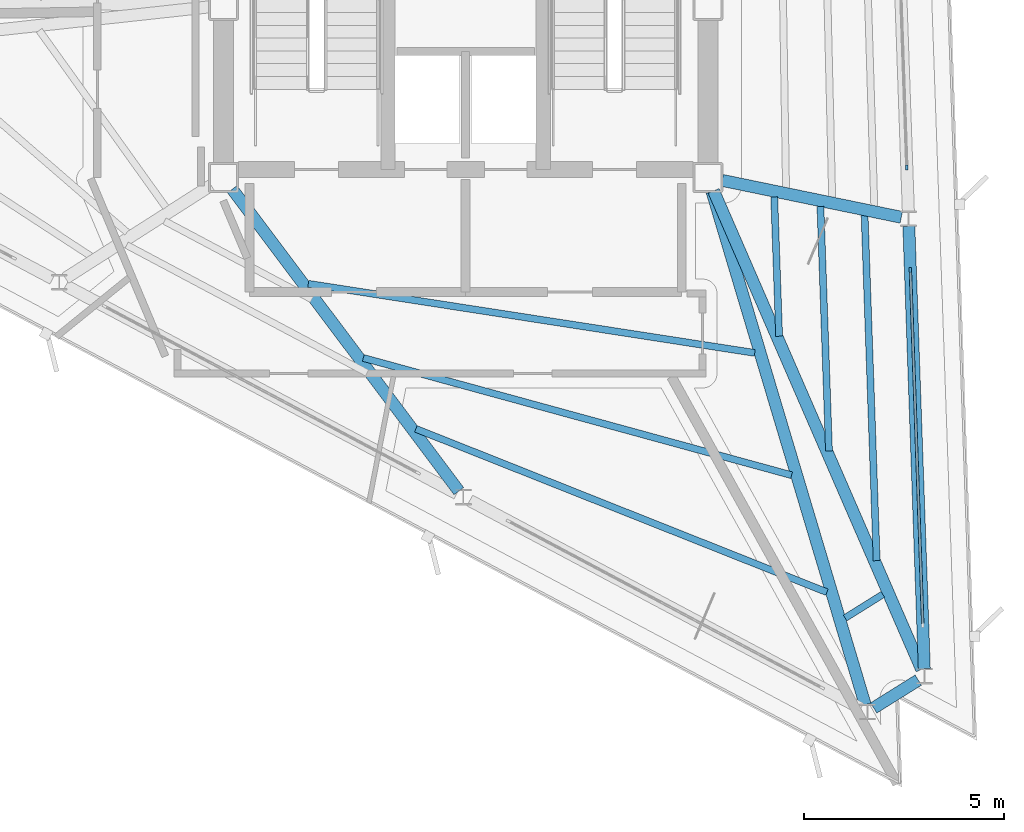
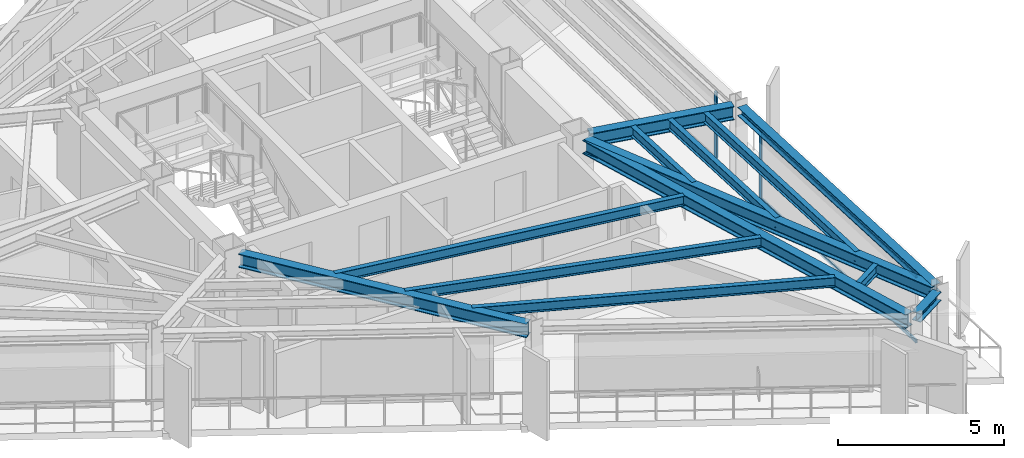
# One storey, part 3 of 13: 13 beams, 4 members, 2 elements without a shape of their own.
"""IFC4 building model written with IfcOpenShell, lengths in metres."""

from ifc_helpers import new_model, si_unit, direction, frame, origin, origin_2d, place, context, subcontext, project, spatial, rectangle, i_section, extrude, material, layer, layer_set, material_profile, profile_set, type_object, element, aggregate, save


model = new_model("IFC4")

# Units and contexts
model_context = context("Model", 3, precision=1e-05, world=origin(), true_north=direction((0.0, 1.0)))
body_context = subcontext(model_context, "Body", "Model", "MODEL_VIEW")
ifc_project = project(units=[si_unit("LENGTHUNIT", "METRE"), si_unit("AREAUNIT", "SQUARE_METRE"), si_unit("VOLUMEUNIT", "CUBIC_METRE"), si_unit("PLANEANGLEUNIT", "RADIAN"), si_unit("MASSUNIT", "GRAM", prefix="KILO")], contexts=[model_context])

# Site, building, storey
site_placement = place(None, origin())
site = spatial("IfcSite", under=ifc_project, at=site_placement, CompositionType="ELEMENT")
building_placement = place(site_placement, origin())
building = spatial("IfcBuilding", under=site, at=building_placement, Name="Rocaltana Carrier Exchange", CompositionType="ELEMENT")
storey_placement = place(building_placement, frame((0.0, 0.0, 199.679931640625)))
storey = spatial("IfcBuildingStorey", under=building, at=storey_placement, Name="L63", CompositionType="ELEMENT", Elevation=199.679931640625)

# Curtain wall, member
ifc_material_1 = material(Name="Aluminium 6063-T6", Category="aluminium")
ifc_layer = layer(ifc_material_1, 0.1201171875)
ifc_layer_set = layer_set([ifc_layer], Name="Aluminium 6063-T6")
curtain_wall_type = type_object("IfcCurtainWallType", Name="High-Altitude Thermal Curtain Wall CW-05", PredefinedType="NOTDEFINED", material=ifc_layer_set)
curtain_wall_1_placement = place(storey_placement, origin())
curtain_wall_1 = element("IfcCurtainWall", 1, at=curtain_wall_1_placement, inside=storey, type_object=curtain_wall_type, Name="L63 CW-05 Run CW-L63-F1S1", PredefinedType="NOTDEFINED")
ifc_material_2 = material(Name="Aluminium 6063-T6", Category="aluminium")
ifc_material_profile_1 = material_profile(ifc_material_2, rectangle(XDim=0.06005859375, YDim=0.1201171875, at=origin_2d()), Name="AL-60X120")
ifc_profile_set_1 = profile_set([ifc_material_profile_1], Name="Aluminium 6063-T6")
member_type_1 = type_object("IfcMemberType", Name="CW-05 Mullion AL-60X120", PredefinedType="MULLION", material=ifc_profile_set_1)
member_1_placement = place(storey_placement, frame((11.11181640625, -6.61279296875, 0.0), z_axis=(0.0, 0.0, 1.0), x_axis=(-0.999390315991, -0.034914127567, 0.0)))
member_1 = element("IfcMember", 2, at=member_1_placement, type_object=member_type_1, Name="CW-05 mullion 2", PredefinedType="MULLION", context=body_context, shape_type="SweptSolid", body=[
    extrude(rectangle(XDim=0.06005859375, YDim=0.1201171875, at=origin_2d()), origin(), (0.0, 0.0, 1.0), 2.447998046875),
])

curtain_wall_2_placement = place(storey_placement, origin())
curtain_wall_2 = element("IfcCurtainWall", 3, at=curtain_wall_2_placement, inside=storey, type_object=curtain_wall_type, Name="L63 CW-05 Run CW-L63-F1S2", PredefinedType="NOTDEFINED")
member_2_placement = place(storey_placement, frame((11.0224609375, -4.054443359375, 0.0), z_axis=(0.0, 0.0, 1.0), x_axis=(-0.999390720156, -0.034902556738, 0.0)))
member_2 = element("IfcMember", 4, at=member_2_placement, type_object=member_type_1, Name="CW-05 mullion 1", PredefinedType="MULLION", context=body_context, shape_type="SweptSolid", body=[
    extrude(rectangle(XDim=0.06005859375, YDim=0.1201171875, at=origin_2d()), origin(), (0.0, 0.0, 1.0), 2.447998046875),
])
aggregate(curtain_wall_2, [member_2])

# Member
ifc_material_3 = material(Name="Aluminium 6063-T6", Category="aluminium")
ifc_material_profile_2 = material_profile(ifc_material_3, rectangle(XDim=0.06005859375, YDim=0.1201171875, at=origin_2d()), Name="AL-60X120")
ifc_profile_set_2 = profile_set([ifc_material_profile_2], Name="Aluminium 6063-T6")
member_type_2 = type_object("IfcMemberType", Name="CW-05 Transom AL-60X120", PredefinedType="USERDEFINED", material=ifc_profile_set_2)
member_3_placement = place(storey_placement, frame((11.420654296875, -15.450927734375, 0.030029296875), z_axis=(-0.034930718371, 0.999389736246, 0.0), x_axis=(-0.999389736246, -0.034930718371, 0.0)))
member_3 = element("IfcMember", 5, at=member_3_placement, type_object=member_type_2, Name="CW-05 transom 1.1", ObjectType="TRANSOM", PredefinedType="USERDEFINED", context=body_context, shape_type="SweptSolid", body=[
    extrude(rectangle(XDim=0.06005859375, YDim=0.1201171875, at=origin_2d()), origin(), (0.0, 0.0, 1.0), 8.8134765625),
])

member_4_placement = place(storey_placement, frame((11.420654296875, -15.450927734375, 2.41796875), z_axis=(-0.034930718371, 0.999389736246, 0.0), x_axis=(-0.999389736246, -0.034930718371, 0.0)))
member_4 = element("IfcMember", 6, at=member_4_placement, type_object=member_type_2, Name="CW-05 transom 1.2", ObjectType="TRANSOM", PredefinedType="USERDEFINED", context=body_context, shape_type="SweptSolid", body=[
    extrude(rectangle(XDim=0.06005859375, YDim=0.1201171875, at=origin_2d()), origin(), (0.0, 0.0, 1.0), 8.8134765625),
])

aggregate(curtain_wall_1, [member_1, member_3, member_4])

# Beams
ifc_material_4 = material(Name="Steel S355", Category="steel")
ifc_material_profile_3 = material_profile(ifc_material_4, i_section(OverallWidth=0.172119140625, OverallDepth=0.35791015625, WebThickness=0.0078125, FlangeThickness=0.01318359375, FilletRadius=0.011962890625, at=origin_2d()), Name="W14X38")
ifc_profile_set_3 = profile_set([ifc_material_profile_3], Name="Steel S355")
beam_type_1 = type_object("IfcBeamType", Name="Floor Joist W14X38", PredefinedType="JOIST", material=ifc_profile_set_3)
beam_1_placement = place(storey_placement, frame((7.83251953125, -8.267822265625, 2.619140625), z_axis=(-0.034956892031, 0.99938882108, 0.0), x_axis=(-0.99938882108, -0.034956892031, 0.0)))
element("IfcBeam", 7, at=beam_1_placement, inside=storey, type_object=beam_type_1, Name="FJ-L63-01-1", PredefinedType="JOIST", context=body_context, shape_type="SweptSolid", body=[
    extrude(i_section(OverallWidth=0.172119140625, OverallDepth=0.35791015625, WebThickness=0.0078125, FlangeThickness=0.01318359375, FilletRadius=0.011962890625, at=origin_2d()), origin(), (0.0, 0.0, 1.0), 3.485107421875),
])
beam_2_placement = place(storey_placement, frame((9.078125, -11.1337890625, 2.619140625), z_axis=(-0.034895437924, 0.999390968747, 0.0), x_axis=(-0.999390968747, -0.034895437924, 0.0)))
element("IfcBeam", 8, at=beam_2_placement, inside=storey, type_object=beam_type_1, Name="FJ-L63-01-2", PredefinedType="JOIST", context=body_context, shape_type="SweptSolid", body=[
    extrude(i_section(OverallWidth=0.172119140625, OverallDepth=0.35791015625, WebThickness=0.0078125, FlangeThickness=0.01318359375, FilletRadius=0.011962890625, at=origin_2d()), origin(), (0.0, 0.0, 1.0), 6.11474609375),
])
beam_3_placement = place(storey_placement, frame((10.269775390625, -13.875, 2.619140625), z_axis=(-0.034909498386, 0.999390477703, 0.0), x_axis=(-0.999390477703, -0.034909498386, 0.0)))
element("IfcBeam", 9, at=beam_3_placement, inside=storey, type_object=beam_type_1, Name="FJ-L63-01-3", PredefinedType="JOIST", context=body_context, shape_type="SweptSolid", body=[
    extrude(i_section(OverallWidth=0.172119140625, OverallDepth=0.35791015625, WebThickness=0.0078125, FlangeThickness=0.01318359375, FilletRadius=0.011962890625, at=origin_2d()), origin(), (0.0, 0.0, 1.0), 8.630126953125),
])
beam_4_placement = place(storey_placement, frame((-3.93017578125, -6.957275390625, 2.619140625), z_axis=(0.98822318651, -0.153019389764, 0.0), x_axis=(0.153019389764, 0.98822318651, 0.0)))
element("IfcBeam", 10, at=beam_4_placement, inside=storey, type_object=beam_type_1, Name="FJ-L63-11-1", PredefinedType="JOIST", context=body_context, shape_type="SweptSolid", body=[
    extrude(i_section(OverallWidth=0.172119140625, OverallDepth=0.35791015625, WebThickness=0.0078125, FlangeThickness=0.01318359375, FilletRadius=0.011962890625, at=origin_2d()), origin(), (0.0, 0.0, 1.0), 11.286376953125),
])
beam_5_placement = place(storey_placement, frame((-2.555419921875, -8.809814453125, 2.619140625), z_axis=(0.96449669157, -0.264094929808, 0.0), x_axis=(0.264094929808, 0.96449669157, 0.0)))
element("IfcBeam", 11, at=beam_5_placement, inside=storey, type_object=beam_type_1, Name="FJ-L63-11-2", PredefinedType="JOIST", context=body_context, shape_type="SweptSolid", body=[
    extrude(i_section(OverallWidth=0.172119140625, OverallDepth=0.35791015625, WebThickness=0.0078125, FlangeThickness=0.01318359375, FilletRadius=0.011962890625, at=origin_2d()), origin(), (0.0, 0.0, 1.0), 11.09326171875),
])
beam_6_placement = place(storey_placement, frame((-1.2421875, -10.581787109375, 2.619140625), z_axis=(0.929319992712, -0.369275440756, 0.0), x_axis=(0.369275440756, 0.929319992712, 0.0)))
element("IfcBeam", 12, at=beam_6_placement, inside=storey, type_object=beam_type_1, Name="FJ-L63-11-3", PredefinedType="JOIST", context=body_context, shape_type="SweptSolid", body=[
    extrude(i_section(OverallWidth=0.172119140625, OverallDepth=0.35791015625, WebThickness=0.0078125, FlangeThickness=0.01318359375, FilletRadius=0.011962890625, at=origin_2d()), origin(), (0.0, 0.0, 1.0), 11.049560546875),
])
beam_7_placement = place(storey_placement, frame((9.481689453125, -15.306640625, 2.619140625), z_axis=(0.847961248571, 0.530058224087, 0.0), x_axis=(-0.530058224087, 0.847961248571, 0.0)))
element("IfcBeam", 13, at=beam_7_placement, inside=storey, type_object=beam_type_1, Name="FJ-L63-12-3", PredefinedType="JOIST", context=body_context, shape_type="SweptSolid", body=[
    extrude(i_section(OverallWidth=0.172119140625, OverallDepth=0.35791015625, WebThickness=0.0078125, FlangeThickness=0.01318359375, FilletRadius=0.011962890625, at=origin_2d()), origin(), (0.0, 0.0, 1.0), 1.110595703125),
])
ifc_material_5 = material(Name="Steel S355", Category="steel")
ifc_material_profile_4 = material_profile(ifc_material_5, i_section(OverallWidth=0.300048828125, OverallDepth=0.320068359375, WebThickness=0.011474609375, FlangeThickness=0.0205078125, FilletRadius=0.027099609375, at=origin_2d()), Name="HEB320")
ifc_profile_set_4 = profile_set([ifc_material_profile_4], Name="Steel S355")
beam_type_2 = type_object("IfcBeamType", Name="Spandrel Edge Beam HEB320", PredefinedType="SPANDREL", material=ifc_profile_set_4)
beam_8_placement = place(storey_placement, frame((11.459716796875, -16.57470703125, 2.63818359375), z_axis=(-0.034891734961, 0.999391098035, 0.0), x_axis=(-0.999391098035, -0.034891734961, 0.0)))
element("IfcBeam", 14, at=beam_8_placement, inside=storey, type_object=beam_type_2, Name="SP-L63-01", PredefinedType="SPANDREL", context=body_context, shape_type="SweptSolid", body=[
    extrude(i_section(OverallWidth=0.300048828125, OverallDepth=0.320068359375, WebThickness=0.011474609375, FlangeThickness=0.0205078125, FilletRadius=0.027099609375, at=origin_2d()), origin(), (0.0, 0.0, 1.0), 11.0625),
])
beam_9_placement = place(storey_placement, frame((10.194580078125, -17.5546875, 2.63818359375), z_axis=(0.848092225117, 0.52984863659, 0.0), x_axis=(-0.52984863659, 0.848092225117, 0.0)))
element("IfcBeam", 15, at=beam_9_placement, inside=storey, type_object=beam_type_2, Name="SP-L63-12", PredefinedType="SPANDREL", context=body_context, shape_type="SweptSolid", body=[
    extrude(i_section(OverallWidth=0.300048828125, OverallDepth=0.320068359375, WebThickness=0.011474609375, FlangeThickness=0.0205078125, FilletRadius=0.027099609375, at=origin_2d()), origin(), (0.0, 0.0, 1.0), 1.314208984375),
])
ifc_material_6 = material(Name="Steel S355", Category="steel")
ifc_material_profile_5 = material_profile(ifc_material_6, i_section(OverallWidth=0.300048828125, OverallDepth=0.5, WebThickness=0.014404296875, FlangeThickness=0.028076171875, FilletRadius=0.027099609375, at=origin_2d()), Name="HEB500")
ifc_profile_set_5 = profile_set([ifc_material_profile_5], Name="Steel S355")
beam_type_3 = type_object("IfcBeamType", Name="Upper Radial Girder HEB500", PredefinedType="BEAM", material=ifc_profile_set_5)
beam_10_placement = place(storey_placement, frame((6.1962890625, -4.63671875, 2.548095703125), z_axis=(0.398663781155, -0.917097153848, 0.0), x_axis=(0.917097153848, 0.398663781155, 0.0)))
element("IfcBeam", 16, at=beam_10_placement, inside=storey, type_object=beam_type_3, Name="RG-L63-01", PredefinedType="BEAM", context=body_context, shape_type="SweptSolid", body=[
    extrude(i_section(OverallWidth=0.300048828125, OverallDepth=0.5, WebThickness=0.014404296875, FlangeThickness=0.028076171875, FilletRadius=0.027099609375, at=origin_2d()), origin(), (0.0, 0.0, 1.0), 13.03369140625),
])
beam_11_placement = place(storey_placement, frame((6.409423828125, -4.3740234375, 2.548095703125), z_axis=(0.979421650588, -0.201824751605, 0.0), x_axis=(0.201824751605, 0.979421650588, 0.0)))
element("IfcBeam", 17, at=beam_11_placement, inside=storey, type_object=beam_type_3, Name="RG-L63-02", PredefinedType="BEAM", context=body_context, shape_type="SweptSolid", body=[
    extrude(i_section(OverallWidth=0.300048828125, OverallDepth=0.5, WebThickness=0.014404296875, FlangeThickness=0.028076171875, FilletRadius=0.027099609375, at=origin_2d()), origin(), (0.0, 0.0, 1.0), 4.570068359375),
])
beam_12_placement = place(storey_placement, frame((-5.82958984375, -4.593505859375, 2.548095703125), z_axis=(0.600207072823, -0.799844653501, 0.0), x_axis=(0.799844653501, 0.600207072823, 0.0)))
element("IfcBeam", 18, at=beam_12_placement, inside=storey, type_object=beam_type_3, Name="RG-L63-11", PredefinedType="BEAM", context=body_context, shape_type="SweptSolid", body=[
    extrude(i_section(OverallWidth=0.300048828125, OverallDepth=0.5, WebThickness=0.014404296875, FlangeThickness=0.028076171875, FilletRadius=0.027099609375, at=origin_2d()), origin(), (0.0, 0.0, 1.0), 9.43115234375),
])
beam_13_placement = place(storey_placement, frame((6.155029296875, -4.651611328125, 2.548095703125), z_axis=(0.286134274896, -0.958189530693, 0.0), x_axis=(0.958189530693, 0.286134274896, 0.0)))
element("IfcBeam", 19, at=beam_13_placement, inside=storey, type_object=beam_type_3, Name="RG-L63-12", PredefinedType="BEAM", context=body_context, shape_type="SweptSolid", body=[
    extrude(i_section(OverallWidth=0.300048828125, OverallDepth=0.5, WebThickness=0.014404296875, FlangeThickness=0.028076171875, FilletRadius=0.027099609375, at=origin_2d()), origin(), (0.0, 0.0, 1.0), 13.383056640625),
])

save(model, "model.ifc")
